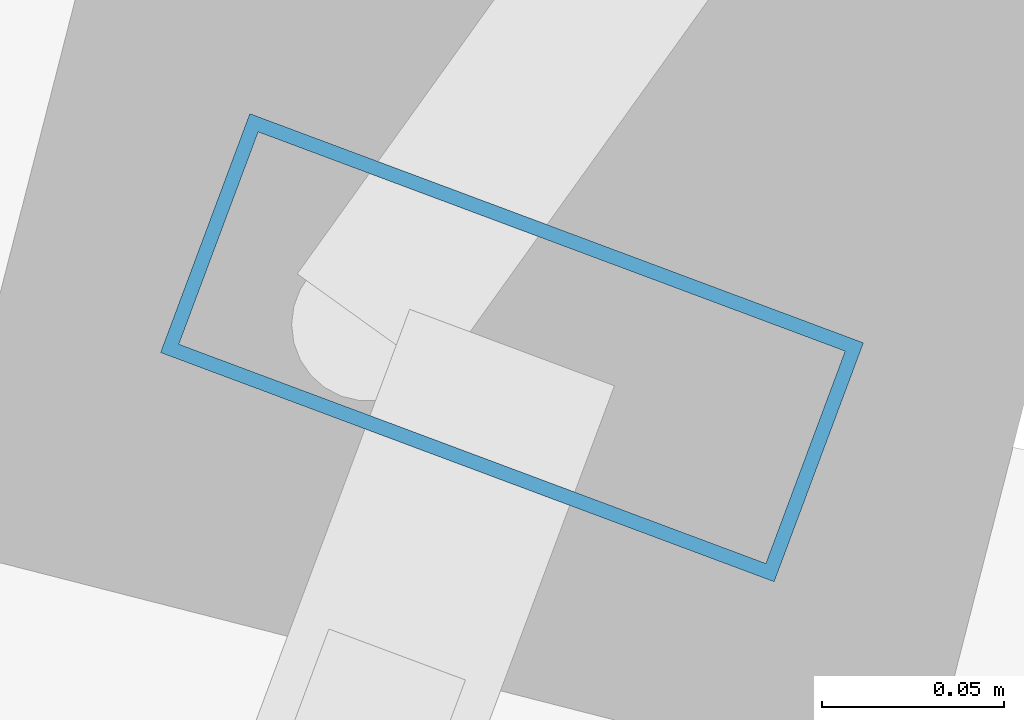
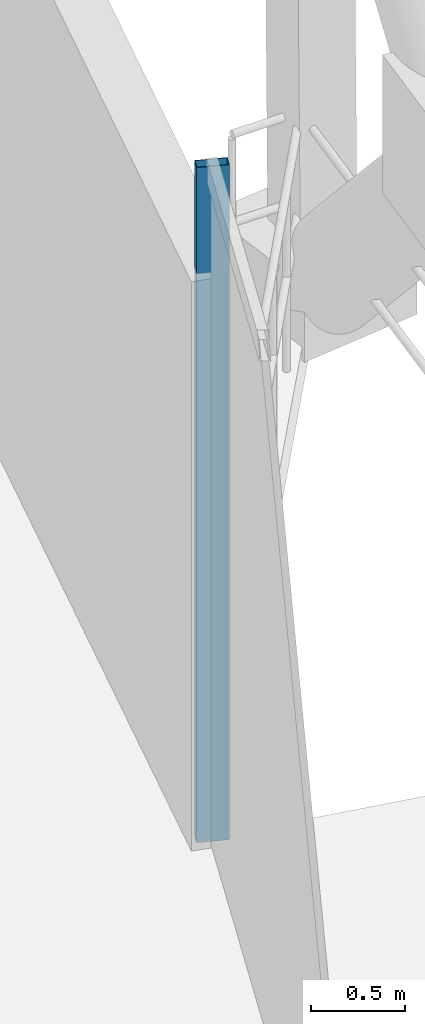
# One storey, part 17 of 39: 1 member, 1 element without a shape of its own.
"""IFC4 building model written with IfcOpenShell, lengths in metres."""

from ifc_helpers import new_model, si_unit, direction, frame, origin, origin_2d, place, context, subcontext, project, spatial, hollow_rectangle, extrude, material, layer, layer_set, material_profile, profile_set, type_object, element, aggregate, save


model = new_model("IFC4")

# Units and contexts
model_context = context("Model", 3, precision=1e-05, world=origin(), true_north=direction((0.0, 1.0)))
body_context = subcontext(model_context, "Body", "Model", "MODEL_VIEW")
ifc_project = project(units=[si_unit("LENGTHUNIT", "METRE"), si_unit("AREAUNIT", "SQUARE_METRE"), si_unit("VOLUMEUNIT", "CUBIC_METRE"), si_unit("PLANEANGLEUNIT", "RADIAN"), si_unit("MASSUNIT", "GRAM", prefix="KILO")], contexts=[model_context])

# Site, building, storey
site_placement = place(None, origin())
site = spatial("IfcSite", under=ifc_project, at=site_placement, CompositionType="ELEMENT")
building_placement = place(site_placement, origin())
building = spatial("IfcBuilding", under=site, at=building_placement, Name="Veldorina Hangang Commons", CompositionType="ELEMENT")
storey_placement = place(building_placement, frame((0.0, 0.0, 106.0)))
storey = spatial("IfcBuildingStorey", under=building, at=storey_placement, Name="L27", CompositionType="ELEMENT", Elevation=106.0)

# Curtain wall, member
ifc_material_1 = material(Name="Glass Acoustic Laminated", Category="glass")
ifc_layer = layer(ifc_material_1, 0.179931640625)
ifc_layer_set = layer_set([ifc_layer], Name="Glass Acoustic Laminated")
curtain_wall_type = type_object("IfcCurtainWallType", Name="CW-SYS-SKY", PredefinedType="NOTDEFINED", material=ifc_layer_set)
curtain_wall_placement = place(storey_placement, origin())
curtain_wall = element("IfcCurtainWall", 1, at=curtain_wall_placement, inside=storey, type_object=curtain_wall_type, Name="L27 unitised curtain wall CW-L27-R12", PredefinedType="NOTDEFINED")
ifc_material_2 = material(Name="Aluminium Anodized AA6063-T6", Category="aluminium")
ifc_material_profile = material_profile(ifc_material_2, hollow_rectangle(XDim=0.070068359375, YDim=0.179931640625, WallThickness=0.00390625, at=origin_2d()), Name="ALU-RHS-180x70x4")
ifc_profile_set = profile_set([ifc_material_profile], Name="Aluminium Anodized AA6063-T6")
member_type = type_object("IfcMemberType", Name="CW-MUL-180", PredefinedType="MULLION", material=ifc_profile_set)
member_placement = place(storey_placement, frame((57.75830078125, 19.839111328125, 0.0), z_axis=(0.0, 0.0, 1.0), x_axis=(-0.349913099735, -0.936782163917, 0.0)))
member = element("IfcMember", 2, at=member_placement, type_object=member_type, Name="CW-L27-R12 vertical mullion 5", PredefinedType="MULLION", context=body_context, shape_type="SweptSolid", body=[
    extrude(hollow_rectangle(XDim=0.070068359375, YDim=0.179931640625, WallThickness=0.00390625, at=origin_2d()), origin(), (0.0, 0.0, 1.0), 4.39990234375),
])
aggregate(curtain_wall, [member])

save(model, "model.ifc")
